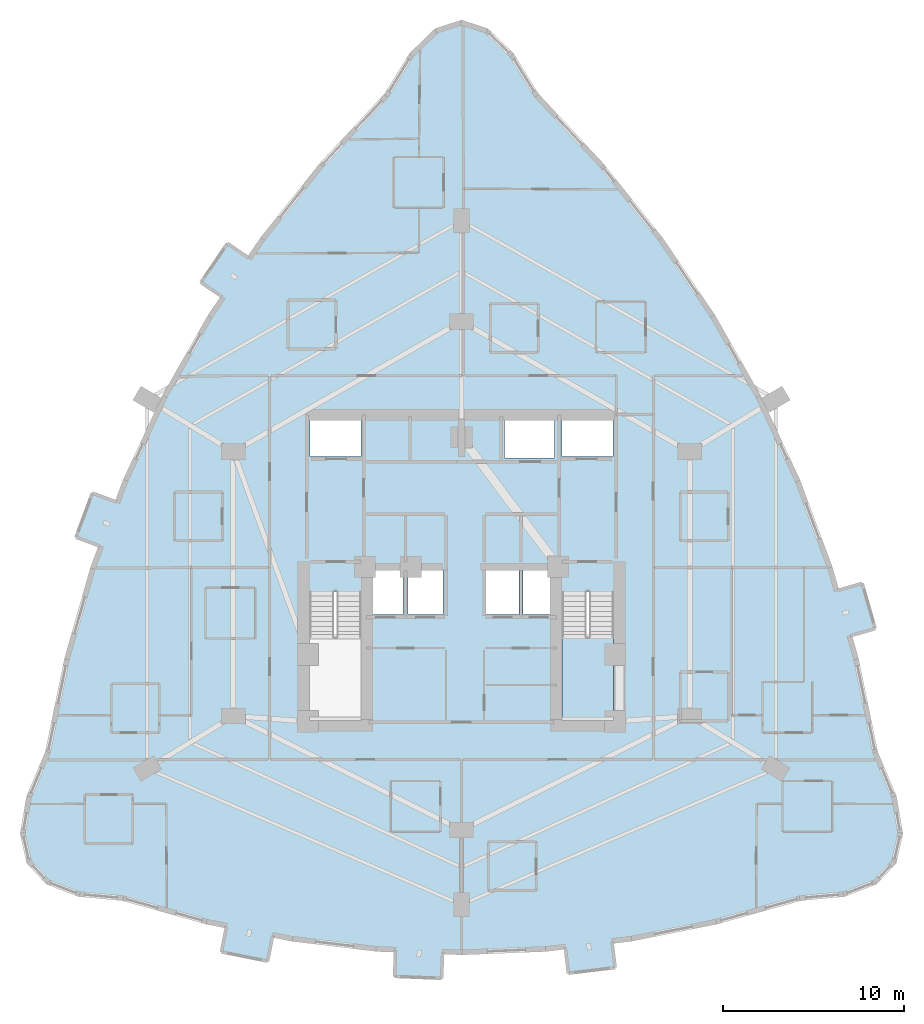
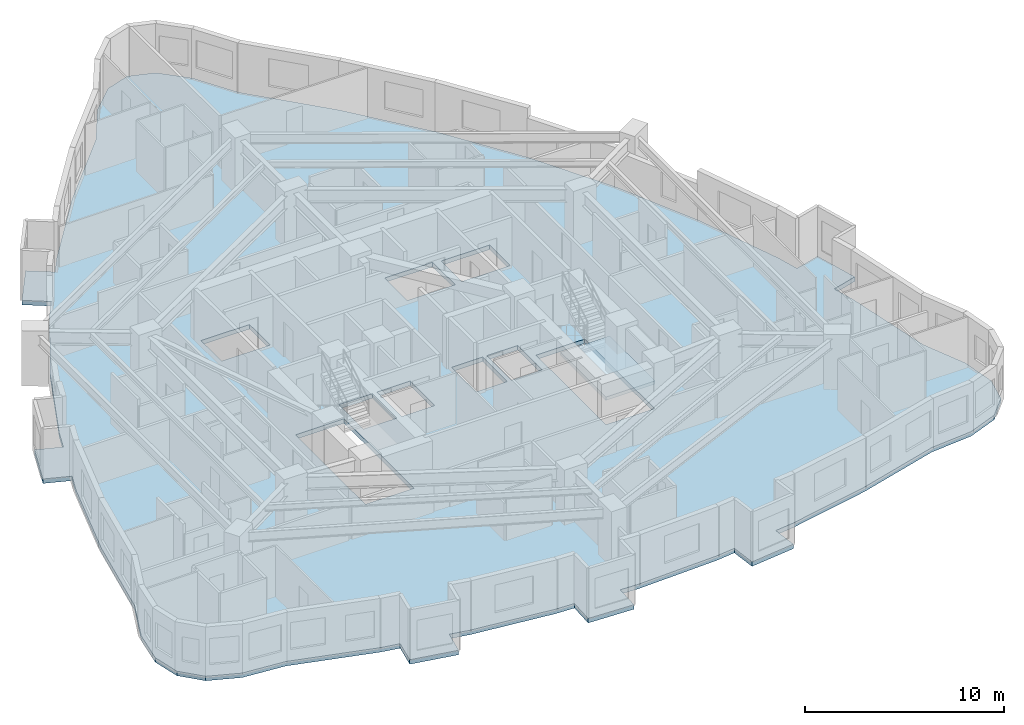
# One storey, part 3 of 13: 2 slabs, 1 element without a shape of its own.
"""IFC4 building model written with IfcOpenShell, lengths in metres."""

from ifc_helpers import new_model, si_unit, direction, frame, origin, place, context, subcontext, project, spatial, polyline, outline, extrude, material, layer, layer_set, type_object, element, aggregate, save


model = new_model("IFC4")

# Units and contexts
model_context = context("Model", 3, precision=1e-05, world=origin(), true_north=direction((0.0, 1.0)))
body_context = subcontext(model_context, "Body", "Model", "MODEL_VIEW")
ifc_project = project(units=[si_unit("LENGTHUNIT", "METRE"), si_unit("AREAUNIT", "SQUARE_METRE"), si_unit("VOLUMEUNIT", "CUBIC_METRE"), si_unit("PLANEANGLEUNIT", "RADIAN"), si_unit("MASSUNIT", "GRAM", prefix="KILO")], contexts=[model_context])

# Site, building, storey
site_placement = place(None, origin())
site = spatial("IfcSite", under=ifc_project, at=site_placement, CompositionType="ELEMENT")
building_placement = place(site_placement, origin())
building = spatial("IfcBuilding", under=site, at=building_placement, Name="Miruveldt Soraemaru", CompositionType="ELEMENT")
storey_placement = place(building_placement, frame((0.0, 0.0, 73.39990234375)))
storey = spatial("IfcBuildingStorey", under=building, at=storey_placement, Name="L20", CompositionType="ELEMENT", Elevation=73.39990234375)

# Stair, slab
ifc_material = material(Name="Concrete C40/50 (40 MPa)", Category="concrete")
stair_type = type_object("IfcStairType", Name="STAIR-DL-340", PredefinedType="HALF_TURN_STAIR", material=ifc_material)
stair_placement = place(storey_placement, origin())
stair = element("IfcStair", 1, at=stair_placement, inside=storey, type_object=stair_type, Name="L20 Protected Exit Stair ST-2", PredefinedType="HALF_TURN_STAIR")
ifc_layer_1 = layer(ifc_material, 0.199951171875, Name="Concrete C40/50 (40 MPa)", Category="concrete")
ifc_layer_set_1 = layer_set([ifc_layer_1], Name="Concrete C40/50 (40 MPa)")
slab_type_1 = type_object("IfcSlabType", Name="SLAB-LAND-200", PredefinedType="LANDING", material=ifc_layer_set_1)
slab_1_placement = place(storey_placement, frame((0.0, 0.0, 1.5)))
slab_1 = element("IfcSlab", 2, at=slab_1_placement, type_object=slab_type_1, Name="ST-2 landing 1", PredefinedType="LANDING", context=body_context, shape_type="SweptSolid", body=[
    extrude(outline(polyline([(49.550048828125, 40.197998046875), (49.550048828125, 35.64990234375), (52.39990234375, 35.64990234375), (52.39990234375, 40.197998046875), (49.550048828125, 40.197998046875)])), origin(), (0.0, 0.0, 1.0), 0.2001953125),
])
aggregate(stair, [slab_1])

# Slab
ifc_layer_2 = layer(ifc_material, 0.27490234375, Name="Concrete C40/50 (40 MPa)", Category="concrete")
ifc_layer_set_2 = layer_set([ifc_layer_2], Name="Concrete C40/50 (40 MPa)")
slab_type_2 = type_object("IfcSlabType", Name="SLAB-RES1-275", PredefinedType="FLOOR", material=ifc_layer_set_2)
slab_2_placement = place(storey_placement, frame((0.0, 0.0, -0.27490234375)))
element("IfcSlab", 3, at=slab_2_placement, inside=storey, type_object=slab_type_2, Name="L20 Structural Floor Slab", PredefinedType="FLOOR", context=body_context, shape_type="SweptSolid", body=[
    extrude(outline(polyline([(22.69970703125, 45.681640625), (23.607421875, 48.117919921875), (24.994140625, 47.601318359375), (25.43798828125, 48.793212890625), (27.596435546875, 53.426025390625), (30.117919921875, 57.871826171875), (31.560302734375, 60.0009765625), (30.831298828125, 58.9248046875), (29.60595703125, 59.754638671875), (31.064208984375, 61.9072265625), (32.289306640625, 61.077392578125), (33.002685546875, 62.130126953125), (36.25048828125, 66.201416015625), (39.861328125, 70.085693359375), (41.240966796875, 72.315673828125), (42.62060546875, 73.65380859375), (44.0, 74.099853515625), (45.37939453125, 73.65380859375), (46.759033203125, 72.315673828125), (48.138671875, 70.085693359375), (51.74951171875, 66.201416015625), (54.997314453125, 62.130126953125), (57.882080078125, 57.871826171875), (60.403564453125, 53.426025390625), (62.56201171875, 48.793212890625), (64.357177734375, 43.97314453125), (64.7158203125, 42.719482421875), (66.138671875, 43.12646484375), (66.853515625, 40.626708984375), (65.4306640625, 40.2197265625), (65.789306640625, 38.9658203125), (66.858154296875, 33.771484375), (67.892822265625, 31.318359375), (68.23779296875, 29.311279296875), (67.892822265625, 27.75), (66.858154296875, 26.635009765625), (65.1337890625, 25.966064453125), (62.719482421875, 25.742919921875), (58.039794921875, 24.4326171875), (53.35986328125, 23.49658203125), (52.310546875, 23.37060546875), (52.48681640625, 21.901123046875), (49.905517578125, 21.59130859375), (49.72900390625, 23.060791015625), (51.019775390625, 23.2158203125), (48.679931640625, 22.93505859375), (44.0, 22.747802734375), (41.66015625, 22.84130859375), (42.958984375, 22.789306640625), (42.89990234375, 21.310546875), (40.302001953125, 21.41455078125), (40.361083984375, 22.893310546875), (39.320068359375, 22.93505859375), (34.64013671875, 23.49658203125), (32.30029296875, 23.964599609375), (33.574951171875, 23.709716796875), (33.28466796875, 22.25830078125), (30.735107421875, 22.768310546875), (31.025390625, 24.219482421875), (29.960205078125, 24.4326171875), (25.280517578125, 25.742919921875), (22.8662109375, 25.966064453125), (21.141845703125, 26.635009765625), (20.107177734375, 27.75), (19.76220703125, 29.311279296875), (20.107177734375, 31.318359375), (21.141845703125, 33.771484375), (22.210693359375, 38.9658203125), (23.642822265625, 43.97314453125), (24.086669921875, 45.1650390625), (22.69970703125, 45.681640625)]), holes=[polyline([(35.614990234375, 35.6650390625), (38.43505859375, 35.6650390625), (38.43505859375, 42.68505859375), (35.614990234375, 42.68505859375), (35.614990234375, 35.6650390625)]), polyline([(49.56494140625, 35.6650390625), (52.385009765625, 35.6650390625), (52.385009765625, 42.68505859375), (49.56494140625, 42.68505859375), (49.56494140625, 35.6650390625)]), polyline([(40.764892578125, 41.4150390625), (40.764892578125, 43.885009765625), (38.81494140625, 43.885009765625), (38.81494140625, 41.4150390625), (40.764892578125, 41.4150390625)]), polyline([(42.965087890625, 41.4150390625), (42.965087890625, 43.885009765625), (41.034912109375, 43.885009765625), (41.034912109375, 41.4150390625), (42.965087890625, 41.4150390625)]), polyline([(47.1650390625, 41.4150390625), (47.1650390625, 43.885009765625), (45.364990234375, 43.885009765625), (45.364990234375, 41.4150390625), (47.1650390625, 41.4150390625)]), polyline([(49.18505859375, 41.4150390625), (49.18505859375, 43.885009765625), (47.39501953125, 43.885009765625), (47.39501953125, 41.4150390625), (49.18505859375, 41.4150390625)]), polyline([(38.445068359375, 50.135009765625), (38.445068359375, 52.205078125), (35.635009765625, 52.205078125), (35.635009765625, 50.135009765625), (38.445068359375, 50.135009765625)]), polyline([(49.554931640625, 50.135009765625), (52.364990234375, 50.135009765625), (52.364990234375, 52.205078125), (49.554931640625, 52.205078125), (49.554931640625, 50.135009765625)]), polyline([(46.364990234375, 50.06494140625), (49.135009765625, 50.06494140625), (49.135009765625, 52.3349609375), (46.364990234375, 52.3349609375), (46.364990234375, 50.06494140625)])]), origin(), (0.0, 0.0, 1.0), 0.27490234375),
])

save(model, "model.ifc")
